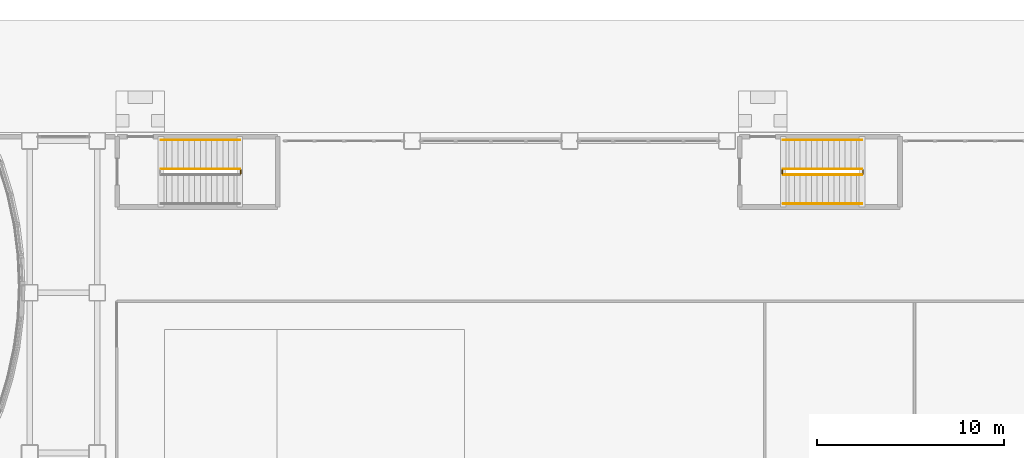
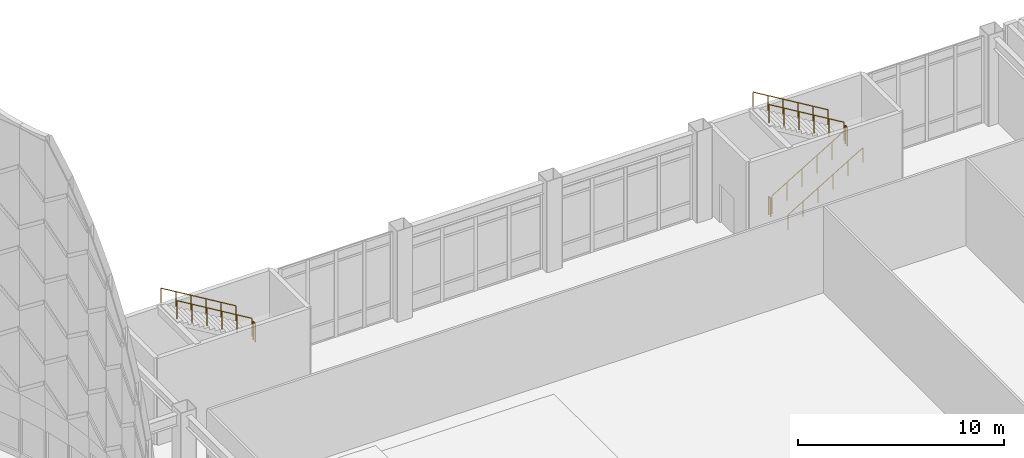
# One storey, part 157 of 165: 9 railings.
"""IFC4 building model written with IfcOpenShell, lengths in metres."""

from ifc_helpers import new_model, si_unit, direction, frame, origin, origin_2d, place, context, subcontext, project, spatial, circle, extrude, material, type_object, element, save


model = new_model("IFC4")

# Units and contexts
model_context = context("Model", 3, precision=1e-05, world=origin(), true_north=direction((0.0, 1.0)))
body_context = subcontext(model_context, "Body", "Model", "MODEL_VIEW")
ifc_project = project(units=[si_unit("LENGTHUNIT", "METRE"), si_unit("AREAUNIT", "SQUARE_METRE"), si_unit("VOLUMEUNIT", "CUBIC_METRE"), si_unit("PLANEANGLEUNIT", "RADIAN"), si_unit("MASSUNIT", "GRAM", prefix="KILO")], contexts=[model_context])

# Site, building, storey
site_placement = place(None, origin())
site = spatial("IfcSite", under=ifc_project, at=site_placement, CompositionType="ELEMENT")
building_placement = place(site_placement, origin())
building = spatial("IfcBuilding", under=site, at=building_placement, Name="Kazehara Bluff Congress Hotel", CompositionType="ELEMENT")
storey_placement = place(building_placement, origin())
storey = spatial("IfcBuildingStorey", under=building, at=storey_placement, Name="L00", CompositionType="ELEMENT", Elevation=0.0)

# Railings
ifc_material_1 = material(Name="Brushed stainless steel", Category="steel")
railing_type_1 = type_object("IfcRailingType", Name="TP-GRD-INT", PredefinedType="GUARDRAIL", material=ifc_material_1)
railing_1_placement = place(storey_placement, frame((16.050048828125, 111.800048828125, 2.699951171875)))
element("IfcRailing", 1, at=railing_1_placement, inside=storey, type_object=railing_type_1, Name="L00 ST-01 stair guard 2", PredefinedType="GUARDRAIL", context=body_context, shape_type="SweptSolid", body=[
    extrude(circle(Radius=0.02392578125, at=origin_2d()), frame((0.0, 0.0, 1.076171875), z_axis=(0.0, 1.0, 0.0), x_axis=(-1.0, 0.0, 0.0)), (0.0, 0.0, 1.0), 0.199951171875),
    extrude(circle(Radius=0.02099609375, at=origin_2d()), origin(), (0.0, 0.0, 1.0), 1.052001953125),
    extrude(circle(Radius=0.02099609375, at=origin_2d()), frame((0.0, 0.199951171875, 0.0)), (0.0, 0.0, 1.0), 1.052001953125),
])
railing_2_placement = place(storey_placement, frame((16.0, 112.050048828125, 2.8798828125)))
element("IfcRailing", 2, at=railing_2_placement, inside=storey, type_object=railing_type_1, Name="L00 ST-01 stair guard 3", PredefinedType="GUARDRAIL", context=body_context, shape_type="SweptSolid", body=[
    extrude(circle(Radius=0.02392578125, at=origin_2d()), frame((0.0, 0.0, 1.076171875), z_axis=(-0.857488527567, 0.0, 0.514503085598), x_axis=(0.0, -1.0, 0.0)), (0.0, 0.0, 1.0), 4.89794921875),
    extrude(circle(Radius=0.02099609375, at=origin_2d()), origin(), (0.0, 0.0, 1.0), 1.052001953125),
    extrude(circle(Radius=0.02099609375, at=origin_2d()), frame((-0.840087890625, 0.0, 0.50390625)), (0.0, 0.0, 1.0), 1.052001953125),
    extrude(circle(Radius=0.02099609375, at=origin_2d()), frame((-1.679931640625, 0.0, 1.008056640625)), (0.0, 0.0, 1.0), 1.052001953125),
    extrude(circle(Radius=0.02099609375, at=origin_2d()), frame((-2.52001953125, 0.0, 1.511962890625)), (0.0, 0.0, 1.0), 1.052001953125),
    extrude(circle(Radius=0.02099609375, at=origin_2d()), frame((-3.35986328125, 0.0, 2.01611328125)), (0.0, 0.0, 1.0), 1.052001953125),
    extrude(circle(Radius=0.02099609375, at=origin_2d()), frame((-4.199951171875, 0.0, 2.52001953125)), (0.0, 0.0, 1.0), 1.052001953125),
])
railing_3_placement = place(storey_placement, frame((45.0, 111.75, 0.179931640625)))
element("IfcRailing", 3, at=railing_3_placement, inside=storey, type_object=railing_type_1, Name="L00 ST-02 stair guard 1", PredefinedType="GUARDRAIL", context=body_context, shape_type="SweptSolid", body=[
    extrude(circle(Radius=0.02392578125, at=origin_2d()), frame((0.0, 0.0, 1.076171875), z_axis=(0.857488527567, 0.0, 0.514503085598), x_axis=(0.0, 1.0, 0.0)), (0.0, 0.0, 1.0), 4.89794921875),
    extrude(circle(Radius=0.02099609375, at=origin_2d()), origin(), (0.0, 0.0, 1.0), 1.052001953125),
    extrude(circle(Radius=0.02099609375, at=origin_2d()), frame((0.840087890625, 0.0, 0.50390625)), (0.0, 0.0, 1.0), 1.052001953125),
    extrude(circle(Radius=0.02099609375, at=origin_2d()), frame((1.679931640625, 0.0, 1.008056640625)), (0.0, 0.0, 1.0), 1.052001953125),
    extrude(circle(Radius=0.02099609375, at=origin_2d()), frame((2.52001953125, 0.0, 1.511962890625)), (0.0, 0.0, 1.0), 1.052001953125),
    extrude(circle(Radius=0.02099609375, at=origin_2d()), frame((3.35986328125, 0.0, 2.01611328125)), (0.0, 0.0, 1.0), 1.052001953125),
    extrude(circle(Radius=0.02099609375, at=origin_2d()), frame((4.199951171875, 0.0, 2.52001953125)), (0.0, 0.0, 1.0), 1.052001953125),
])
railing_4_placement = place(storey_placement, frame((49.25, 111.800048828125, 2.699951171875)))
element("IfcRailing", 4, at=railing_4_placement, inside=storey, type_object=railing_type_1, Name="L00 ST-02 stair guard 2", PredefinedType="GUARDRAIL", context=body_context, shape_type="SweptSolid", body=[
    extrude(circle(Radius=0.02392578125, at=origin_2d()), frame((0.0, 0.0, 1.076171875), z_axis=(0.0, 1.0, 0.0), x_axis=(-1.0, 0.0, 0.0)), (0.0, 0.0, 1.0), 0.199951171875),
    extrude(circle(Radius=0.02099609375, at=origin_2d()), origin(), (0.0, 0.0, 1.0), 1.052001953125),
    extrude(circle(Radius=0.02099609375, at=origin_2d()), frame((0.0, 0.199951171875, 0.0)), (0.0, 0.0, 1.0), 1.052001953125),
])
railing_5_placement = place(storey_placement, frame((49.199951171875, 112.050048828125, 2.8798828125)))
element("IfcRailing", 5, at=railing_5_placement, inside=storey, type_object=railing_type_1, Name="L00 ST-02 stair guard 3", PredefinedType="GUARDRAIL", context=body_context, shape_type="SweptSolid", body=[
    extrude(circle(Radius=0.02392578125, at=origin_2d()), frame((0.0, 0.0, 1.076171875), z_axis=(-0.857488527567, 0.0, 0.514503085598), x_axis=(0.0, -1.0, 0.0)), (0.0, 0.0, 1.0), 4.89794921875),
    extrude(circle(Radius=0.02099609375, at=origin_2d()), origin(), (0.0, 0.0, 1.0), 1.052001953125),
    extrude(circle(Radius=0.02099609375, at=origin_2d()), frame((-0.840087890625, 0.0, 0.50390625)), (0.0, 0.0, 1.0), 1.052001953125),
    extrude(circle(Radius=0.02099609375, at=origin_2d()), frame((-1.679931640625, 0.0, 1.008056640625)), (0.0, 0.0, 1.0), 1.052001953125),
    extrude(circle(Radius=0.02099609375, at=origin_2d()), frame((-2.52001953125, 0.0, 1.511962890625)), (0.0, 0.0, 1.0), 1.052001953125),
    extrude(circle(Radius=0.02099609375, at=origin_2d()), frame((-3.35986328125, 0.0, 2.01611328125)), (0.0, 0.0, 1.0), 1.052001953125),
    extrude(circle(Radius=0.02099609375, at=origin_2d()), frame((-4.199951171875, 0.0, 2.52001953125)), (0.0, 0.0, 1.0), 1.052001953125),
])
railing_6_placement = place(storey_placement, frame((44.949951171875, 111.800048828125, 0.0)))
element("IfcRailing", 6, at=railing_6_placement, inside=storey, type_object=railing_type_1, Name="L00 ST-02 stair guard 4", PredefinedType="GUARDRAIL", context=body_context, shape_type="SweptSolid", body=[
    extrude(circle(Radius=0.02392578125, at=origin_2d()), frame((0.0, 0.0, 1.076171875), z_axis=(0.0, 1.0, 0.0), x_axis=(-1.0, 0.0, 0.0)), (0.0, 0.0, 1.0), 0.199951171875),
    extrude(circle(Radius=0.02099609375, at=origin_2d()), origin(), (0.0, 0.0, 1.0), 1.052001953125),
    extrude(circle(Radius=0.02099609375, at=origin_2d()), frame((0.0, 0.199951171875, 0.0)), (0.0, 0.0, 1.0), 1.052001953125),
])
ifc_material_2 = material(Name="Brushed stainless steel", Category="steel")
railing_type_2 = type_object("IfcRailingType", Name="TP-HR-INT", PredefinedType="HANDRAIL", material=ifc_material_2)
railing_7_placement = place(storey_placement, frame((16.0, 113.60009765625, 2.8798828125)))
element("IfcRailing", 7, at=railing_7_placement, inside=storey, type_object=railing_type_2, Name="L00 ST-01 stair handrail 2", PredefinedType="HANDRAIL", context=body_context, shape_type="SweptSolid", body=[
    extrude(circle(Radius=0.02392578125, at=origin_2d()), frame((0.0, 0.0, 0.8759765625), z_axis=(-0.857488527567, 0.0, 0.514503085598), x_axis=(0.0, -1.0, 0.0)), (0.0, 0.0, 1.0), 4.89794921875),
    extrude(circle(Radius=0.02099609375, at=origin_2d()), origin(), (0.0, 0.0, 1.0), 0.851806640625),
    extrude(circle(Radius=0.02099609375, at=origin_2d()), frame((-0.840087890625, 0.0, 0.50390625)), (0.0, 0.0, 1.0), 0.851806640625),
    extrude(circle(Radius=0.02099609375, at=origin_2d()), frame((-1.679931640625, 0.0, 1.008056640625)), (0.0, 0.0, 1.0), 0.851806640625),
    extrude(circle(Radius=0.02099609375, at=origin_2d()), frame((-2.52001953125, 0.0, 1.511962890625)), (0.0, 0.0, 1.0), 0.851806640625),
    extrude(circle(Radius=0.02099609375, at=origin_2d()), frame((-3.35986328125, 0.0, 2.01611328125)), (0.0, 0.0, 1.0), 0.851806640625),
    extrude(circle(Radius=0.02099609375, at=origin_2d()), frame((-4.199951171875, 0.0, 2.52001953125)), (0.0, 0.0, 1.0), 0.851806640625),
])
railing_8_placement = place(storey_placement, frame((45.0, 110.199951171875, 0.179931640625)))
element("IfcRailing", 8, at=railing_8_placement, inside=storey, type_object=railing_type_2, Name="L00 ST-02 stair handrail 1", PredefinedType="HANDRAIL", context=body_context, shape_type="SweptSolid", body=[
    extrude(circle(Radius=0.02392578125, at=origin_2d()), frame((0.0, 0.0, 0.8759765625), z_axis=(0.857488527567, 0.0, 0.514503085598), x_axis=(0.0, 1.0, 0.0)), (0.0, 0.0, 1.0), 4.89794921875),
    extrude(circle(Radius=0.02099609375, at=origin_2d()), origin(), (0.0, 0.0, 1.0), 0.851806640625),
    extrude(circle(Radius=0.02099609375, at=origin_2d()), frame((0.840087890625, 0.0, 0.50390625)), (0.0, 0.0, 1.0), 0.851806640625),
    extrude(circle(Radius=0.02099609375, at=origin_2d()), frame((1.679931640625, 0.0, 1.008056640625)), (0.0, 0.0, 1.0), 0.851806640625),
    extrude(circle(Radius=0.02099609375, at=origin_2d()), frame((2.52001953125, 0.0, 1.511962890625)), (0.0, 0.0, 1.0), 0.851806640625),
    extrude(circle(Radius=0.02099609375, at=origin_2d()), frame((3.35986328125, 0.0, 2.01611328125)), (0.0, 0.0, 1.0), 0.851806640625),
    extrude(circle(Radius=0.02099609375, at=origin_2d()), frame((4.199951171875, 0.0, 2.52001953125)), (0.0, 0.0, 1.0), 0.851806640625),
])
railing_9_placement = place(storey_placement, frame((49.199951171875, 113.60009765625, 2.8798828125)))
element("IfcRailing", 9, at=railing_9_placement, inside=storey, type_object=railing_type_2, Name="L00 ST-02 stair handrail 2", PredefinedType="HANDRAIL", context=body_context, shape_type="SweptSolid", body=[
    extrude(circle(Radius=0.02392578125, at=origin_2d()), frame((0.0, 0.0, 0.8759765625), z_axis=(-0.857488527567, 0.0, 0.514503085598), x_axis=(0.0, -1.0, 0.0)), (0.0, 0.0, 1.0), 4.89794921875),
    extrude(circle(Radius=0.02099609375, at=origin_2d()), origin(), (0.0, 0.0, 1.0), 0.851806640625),
    extrude(circle(Radius=0.02099609375, at=origin_2d()), frame((-0.840087890625, 0.0, 0.50390625)), (0.0, 0.0, 1.0), 0.851806640625),
    extrude(circle(Radius=0.02099609375, at=origin_2d()), frame((-1.679931640625, 0.0, 1.008056640625)), (0.0, 0.0, 1.0), 0.851806640625),
    extrude(circle(Radius=0.02099609375, at=origin_2d()), frame((-2.52001953125, 0.0, 1.511962890625)), (0.0, 0.0, 1.0), 0.851806640625),
    extrude(circle(Radius=0.02099609375, at=origin_2d()), frame((-3.35986328125, 0.0, 2.01611328125)), (0.0, 0.0, 1.0), 0.851806640625),
    extrude(circle(Radius=0.02099609375, at=origin_2d()), frame((-4.199951171875, 0.0, 2.52001953125)), (0.0, 0.0, 1.0), 0.851806640625),
])

save(model, "model.ifc")
